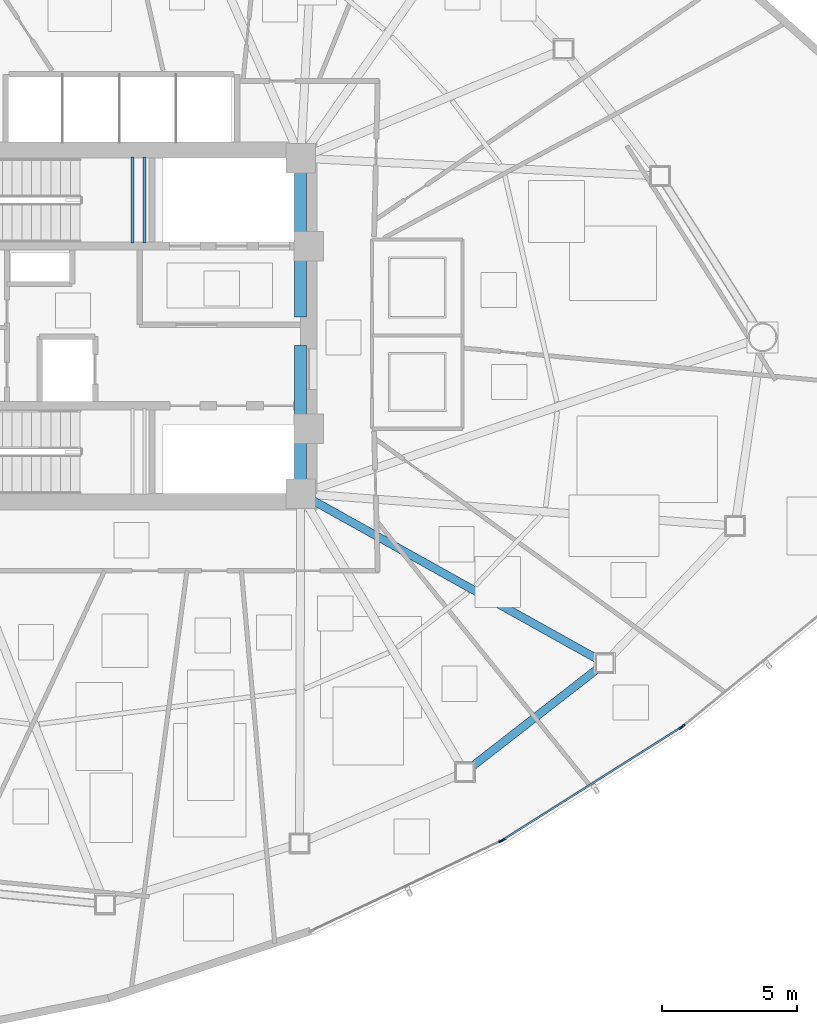
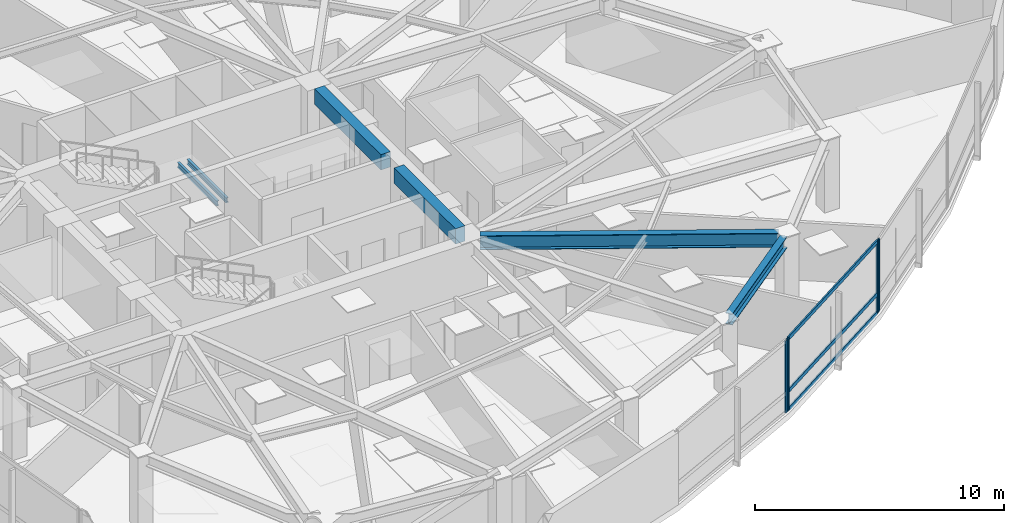
# One storey, part 5 of 17: 7 members, 6 beams, 3 elements without a shape of their own.
"""IFC4 building model written with IfcOpenShell, lengths in metres."""

from ifc_helpers import new_model, si_unit, direction, frame, origin, origin_2d, place, context, subcontext, project, spatial, rectangle, hollow_rectangle, i_section, extrude, source, transform, mapped, material, layer, layer_set, material_profile, profile_set, type_object, type_shapes, element, aggregate, save


model = new_model("IFC4")

# Units and contexts
model_context = context("Model", 3, precision=1e-05, world=origin(), true_north=direction((0.0, 1.0)))
body_context = subcontext(model_context, "Body", "Model", "MODEL_VIEW")
ifc_project = project(units=[si_unit("LENGTHUNIT", "METRE"), si_unit("AREAUNIT", "SQUARE_METRE"), si_unit("VOLUMEUNIT", "CUBIC_METRE"), si_unit("PLANEANGLEUNIT", "RADIAN"), si_unit("MASSUNIT", "GRAM", prefix="KILO")], contexts=[model_context])

# Site, building, storey
site_placement = place(None, origin())
site = spatial("IfcSite", under=ifc_project, at=site_placement, CompositionType="ELEMENT")
building_placement = place(site_placement, origin())
building = spatial("IfcBuilding", under=site, at=building_placement, Name="Tavelor Broadcast Tower", CompositionType="ELEMENT")
storey_placement = place(building_placement, frame((0.0, 0.0, 154.10009765625)))
storey = spatial("IfcBuildingStorey", under=building, at=storey_placement, Name="L36", CompositionType="ELEMENT", Elevation=154.10009765625)

# Beams
ifc_material_1 = material(Name="Concrete C40/50", Category="concrete")
ifc_material_profile_1 = material_profile(ifc_material_1, rectangle(XDim=0.449951171875, YDim=0.75, at=origin_2d()), Name="RC 450x750")
ifc_profile_set_1 = profile_set([ifc_material_profile_1], Name="Concrete C40/50")
beam_type_1 = type_object("IfcBeamType", Name="Basement Core Trim Beam 450x750", PredefinedType="BEAM", material=ifc_profile_set_1)
beam_1_placement = place(storey_placement, frame((56.60009765625, 45.327880859375, 3.1748046875), z_axis=(0.0, 1.0, 0.0), x_axis=(-1.0, 0.0, 0.0)))
element("IfcBeam", 1, at=beam_1_placement, inside=storey, type_object=beam_type_1, Name="L36 Core East-N Tie Girder", PredefinedType="BEAM", context=body_context, shape_type="SweptSolid", body=[
    extrude(rectangle(XDim=0.449951171875, YDim=0.75, at=origin_2d()), origin(), (0.0, 0.0, 1.0), 5.34423828125),
])
beam_2_placement = place(storey_placement, frame((56.60009765625, 39.327880859375, 3.1748046875), z_axis=(0.0, 1.0, 0.0), x_axis=(-1.0, 0.0, 0.0)))
element("IfcBeam", 2, at=beam_2_placement, inside=storey, type_object=beam_type_1, Name="L36 Core East-S Tie Girder", PredefinedType="BEAM", context=body_context, shape_type="SweptSolid", body=[
    extrude(rectangle(XDim=0.449951171875, YDim=0.75, at=origin_2d()), origin(), (0.0, 0.0, 1.0), 4.944091796875),
])
ifc_material_2 = material(Name="Steel S355", Category="steel")
ifc_material_profile_2 = material_profile(ifc_material_2, i_section(OverallWidth=0.300048828125, OverallDepth=0.550048828125, WebThickness=0.014892578125, FlangeThickness=0.029052734375, at=origin_2d()), Name="HEB 550")
ifc_profile_set_2 = profile_set([ifc_material_profile_2], Name="Steel S355")
beam_type_2 = type_object("IfcBeamType", Name="Perimeter Spandrel Beam T3 HEB 550", PredefinedType="SPANDREL", material=ifc_profile_set_2)
beam_3_placement = place(storey_placement, frame((62.934326171875, 28.709716796875, 3.27490234375), z_axis=(0.788970059341, 0.614431644257, 0.0), x_axis=(-0.614431644257, 0.788970059341, 0.0)))
element("IfcBeam", 3, at=beam_3_placement, inside=storey, type_object=beam_type_2, Name="L36 Framed-Tube Ring Spandrel 10", PredefinedType="SPANDREL", context=body_context, shape_type="SweptSolid", body=[
    extrude(i_section(OverallWidth=0.300048828125, OverallDepth=0.550048828125, WebThickness=0.014892578125, FlangeThickness=0.029052734375, at=origin_2d()), origin(), (0.0, 0.0, 1.0), 5.884765625),
])
ifc_material_profile_3 = material_profile(ifc_material_2, i_section(OverallWidth=0.300048828125, OverallDepth=0.68994140625, WebThickness=0.014404296875, FlangeThickness=0.027099609375, at=origin_2d()), Name="HEA 700")
ifc_profile_set_3 = profile_set([ifc_material_profile_3], Name="Steel S355")
beam_type_3 = type_object("IfcBeamType", Name="Radial Floor Girder T3 HEA 700", PredefinedType="BEAM", material=ifc_profile_set_3)
beam_4_placement = place(storey_placement, frame((57.061279296875, 38.54296875, 3.204833984375), z_axis=(0.873405286678, -0.486994050481, 0.0), x_axis=(0.486994050481, 0.873405286678, 0.0)))
element("IfcBeam", 4, at=beam_4_placement, inside=storey, type_object=beam_type_3, Name="L36 Radial Primary Floor Girder 11", PredefinedType="BEAM", context=body_context, shape_type="SweptSolid", body=[
    extrude(i_section(OverallWidth=0.300048828125, OverallDepth=0.68994140625, WebThickness=0.014404296875, FlangeThickness=0.027099609375, at=origin_2d()), origin(), (0.0, 0.0, 1.0), 12.007568359375),
])
ifc_material_profile_4 = material_profile(ifc_material_2, i_section(OverallWidth=0.1201171875, OverallDepth=0.239990234375, WebThickness=0.006103515625, FlangeThickness=0.009765625, at=origin_2d()), Name="IPE 240")
ifc_profile_set_4 = profile_set([ifc_material_profile_4], Name="Steel S355")
beam_type_4 = type_object("IfcBeamType", Name="Stairwell Landing Support Trimmer Beam IPE240", PredefinedType="BEAM", material=ifc_profile_set_4)
for number, where, z_axis, x_axis, name in (
    (5, (50.385009765625, 48.06005859375, 1.60986328125), (0.0, 1.0, 0.0), (-1.0, 0.0, 0.0), "L36 Stair Landing Support Beam 105"),
    (6, (50.824951171875, 48.06005859375, 1.60986328125), (0.0, 1.0, 0.0), (-1.0, 0.0, 0.0), "L36 Stair Landing Support Beam 106"),
):
    element("IfcBeam", number, at=place(storey_placement, frame(where, z_axis=z_axis, x_axis=x_axis)), inside=storey, type_object=beam_type_4, Name=name, PredefinedType="BEAM", context=body_context, shape_type="SweptSolid", body=[
        extrude(i_section(OverallWidth=0.1201171875, OverallDepth=0.239990234375, WebThickness=0.006103515625, FlangeThickness=0.009765625, at=origin_2d()), origin(), (0.0, 0.0, 1.0), 3.179931640625),
    ])

# Curtain wall, member
ifc_material_3 = material(Name="Architectural Anodized Aluminium", Category="aluminium")
ifc_layer = layer(ifc_material_3, 0.18994140625)
ifc_layer_set = layer_set([ifc_layer], Name="Architectural Anodized Aluminium")
curtain_wall_type = type_object("IfcCurtainWallType", Name="Tower Mid-Zone Acoustic Curtain Wall CW03", PredefinedType="NOTDEFINED", material=ifc_layer_set)
curtain_wall_1_placement = place(storey_placement, origin())
curtain_wall_1 = element("IfcCurtainWall", 7, at=curtain_wall_1_placement, inside=storey, type_object=curtain_wall_type, Name="L36 Curtain Wall CW03 Run 377", PredefinedType="NOTDEFINED")
ifc_material_profile_5 = material_profile(ifc_material_3, hollow_rectangle(XDim=0.068115234375, YDim=0.18994140625, WallThickness=0.02197265625, at=origin_2d()), Name="RHS 68x190x22")
ifc_profile_set_5 = profile_set([ifc_material_profile_5], Name="Architectural Anodized Aluminium")
member_type_1 = type_object("IfcMemberType", Name="CW03 Extruded Aluminium Mullion 68x190", PredefinedType="MULLION", material=ifc_profile_set_5)
shared_shape_1 = source(origin(), body_context, "Body", "SweptSolid", [
    extrude(hollow_rectangle(XDim=0.068115234375, YDim=0.18994140625, WallThickness=0.02197265625, at=origin_2d()), origin(), (0.0, 0.0, 1.0), 3.5498046875),
])
type_shapes(member_type_1, [shared_shape_1])
member_1_placement = place(storey_placement, frame((64.0107421875, 25.96142578125, 0.0), z_axis=(0.0, 0.0, 1.0), x_axis=(-0.427742926326, 0.903900430898, 0.0)))
member_1 = element("IfcMember", 8, at=member_1_placement, type_object=member_type_1, Name="CW03 mullion 2", PredefinedType="MULLION", context=body_context, shape_type="MappedRepresentation", body=[
    mapped(shared_shape_1, transform((0.0, 0.0, 0.0), scale=1.0)),
])
aggregate(curtain_wall_1, [member_1])

# Curtain wall, members
curtain_wall_2_placement = place(storey_placement, origin())
curtain_wall_2 = element("IfcCurtainWall", 9, at=curtain_wall_2_placement, inside=storey, type_object=curtain_wall_type, Name="L36 Curtain Wall CW03 Run 378", PredefinedType="NOTDEFINED")
member_2_placement = place(storey_placement, frame((64.096435546875, 26.008544921875, 0.0), z_axis=(0.0, 0.0, 1.0), x_axis=(-0.533990105199, 0.84549072588, 0.0)))
member_2 = element("IfcMember", 10, at=member_2_placement, type_object=member_type_1, Name="CW03 mullion 1", PredefinedType="MULLION", context=body_context, shape_type="MappedRepresentation", body=[
    mapped(shared_shape_1, transform((0.0, 0.0, 0.0), scale=1.0)),
])
member_3_placement = place(storey_placement, frame((70.65185546875, 30.14892578125, 0.0), z_axis=(0.0, 0.0, 1.0), x_axis=(-0.533990105199, 0.84549072588, 0.0)))
member_3 = element("IfcMember", 11, at=member_3_placement, type_object=member_type_1, Name="CW03 mullion 2", PredefinedType="MULLION", context=body_context, shape_type="MappedRepresentation", body=[
    mapped(shared_shape_1, transform((0.0, 0.0, 0.0), scale=1.0)),
])

# Curtain wall, member
curtain_wall_3_placement = place(storey_placement, origin())
curtain_wall_3 = element("IfcCurtainWall", 12, at=curtain_wall_3_placement, inside=storey, type_object=curtain_wall_type, Name="L36 Curtain Wall CW03 Run 379", PredefinedType="NOTDEFINED")
member_4_placement = place(storey_placement, frame((70.7314453125, 30.2060546875, 0.0), z_axis=(0.0, 0.0, 1.0), x_axis=(-0.6323810308, 0.774657493273, 0.0)))
member_4 = element("IfcMember", 13, at=member_4_placement, type_object=member_type_1, Name="CW03 mullion 1", PredefinedType="MULLION", context=body_context, shape_type="MappedRepresentation", body=[
    mapped(shared_shape_1, transform((0.0, 0.0, 0.0), scale=1.0)),
])
aggregate(curtain_wall_3, [member_4])

# Member
ifc_material_profile_6 = material_profile(ifc_material_3, hollow_rectangle(XDim=0.068115234375, YDim=0.18994140625, WallThickness=0.02197265625, at=origin_2d()), Name="RHS 68x190x22")
ifc_profile_set_6 = profile_set([ifc_material_profile_6], Name="Architectural Anodized Aluminium")
member_type_2 = type_object("IfcMemberType", Name="CW03 Extruded Aluminium Transom 68x190", PredefinedType="USERDEFINED", material=ifc_profile_set_6)
shared_shape_2 = source(origin(), body_context, "Body", "SweptSolid", [
    extrude(hollow_rectangle(XDim=0.068115234375, YDim=0.18994140625, WallThickness=0.02197265625, at=origin_2d()), origin(), (0.0, 0.0, 1.0), 7.685546875),
])
type_shapes(member_type_2, [shared_shape_2])
member_5_placement = place(storey_placement, frame((64.125244140625, 26.026611328125, 0.033935546875), z_axis=(0.845490412711, 0.533990601054, 0.0), x_axis=(-0.533990601054, 0.845490412711, 0.0)))
member_5 = element("IfcMember", 14, at=member_5_placement, type_object=member_type_2, Name="CW03 transom 1.1", ObjectType="TRANSOM", PredefinedType="USERDEFINED", context=body_context, shape_type="MappedRepresentation", body=[
    mapped(shared_shape_2, transform((0.0, 0.0, 0.0), scale=1.0)),
])

member_6_placement = place(storey_placement, frame((64.125244140625, 26.026611328125, 0.949951171875), z_axis=(0.845490412711, 0.533990601054, 0.0), x_axis=(-0.533990601054, 0.845490412711, 0.0)))
member_6 = element("IfcMember", 15, at=member_6_placement, type_object=member_type_2, Name="CW03 transom 1.2", ObjectType="TRANSOM", PredefinedType="USERDEFINED", context=body_context, shape_type="MappedRepresentation", body=[
    mapped(shared_shape_2, transform((0.0, 0.0, 0.0), scale=1.0)),
])

member_7_placement = place(storey_placement, frame((64.125244140625, 26.026611328125, 3.515869140625), z_axis=(0.845490412711, 0.533990601054, 0.0), x_axis=(-0.533990601054, 0.845490412711, 0.0)))
member_7 = element("IfcMember", 16, at=member_7_placement, type_object=member_type_2, Name="CW03 transom 1.3", ObjectType="TRANSOM", PredefinedType="USERDEFINED", context=body_context, shape_type="MappedRepresentation", body=[
    mapped(shared_shape_2, transform((0.0, 0.0, 0.0), scale=1.0)),
])

aggregate(curtain_wall_2, [member_2, member_3, member_5, member_6, member_7])

save(model, "model.ifc")
